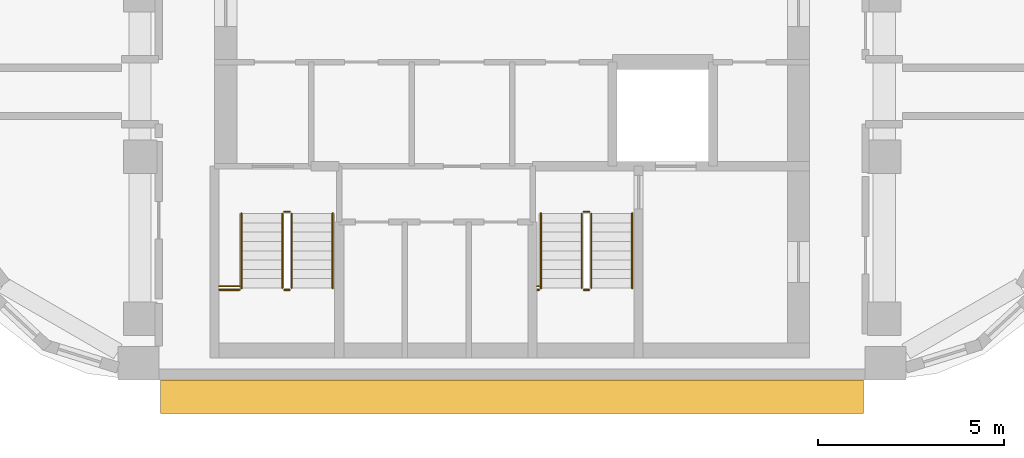
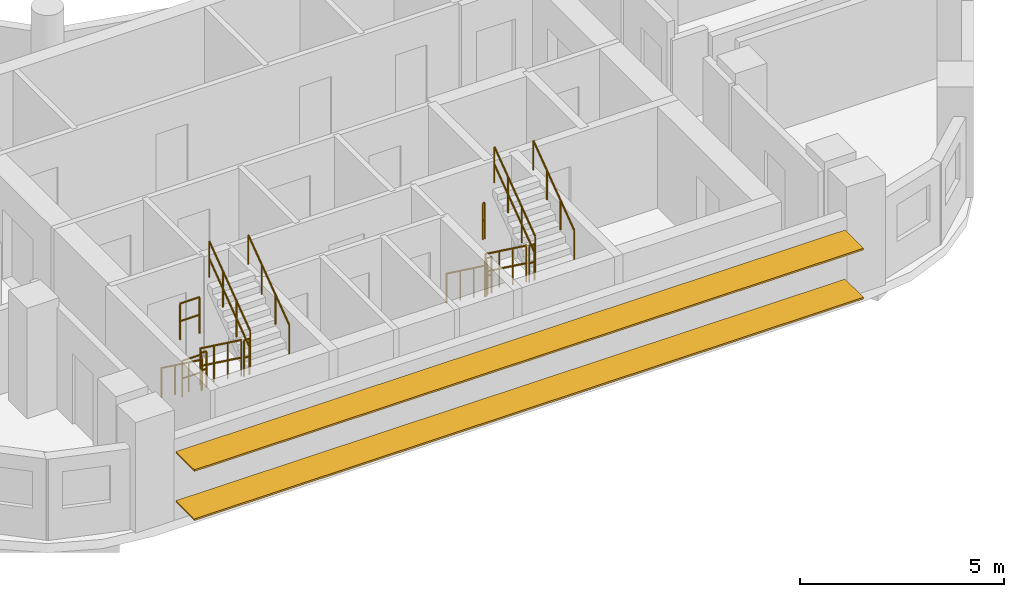
# One storey, part 10 of 12: 16 railings, 2 shading devices.
"""IFC4 building model written with IfcOpenShell, lengths in metres."""

from ifc_helpers import new_model, si_unit, direction, frame, origin, origin_2d, place, context, subcontext, project, spatial, rectangle, circle, extrude, material, material_profile, profile_set, type_object, element, save


model = new_model("IFC4")

# Units and contexts
model_context = context("Model", 3, precision=1e-05, world=origin(), true_north=direction((0.0, 1.0)))
body_context = subcontext(model_context, "Body", "Model", "MODEL_VIEW")
ifc_project = project(units=[si_unit("LENGTHUNIT", "METRE"), si_unit("AREAUNIT", "SQUARE_METRE"), si_unit("VOLUMEUNIT", "CUBIC_METRE"), si_unit("PLANEANGLEUNIT", "RADIAN"), si_unit("MASSUNIT", "GRAM", prefix="KILO")], contexts=[model_context])

# Site, building, storey
site_placement = place(None, origin())
site = spatial("IfcSite", under=ifc_project, at=site_placement, CompositionType="ELEMENT")
building_placement = place(site_placement, origin())
building = spatial("IfcBuilding", under=site, at=building_placement, Name="Nakaniwa Court", CompositionType="ELEMENT")
storey_placement = place(building_placement, frame((0.0, 0.0, 252.60009765625)))
storey = spatial("IfcBuildingStorey", under=building, at=storey_placement, Name="L66", CompositionType="ELEMENT", Elevation=252.60009765625)

# Shading devices
ifc_material_1 = material(Name="Perforated charcoal ceramic louvre blade")
ifc_material_profile = material_profile(ifc_material_1, rectangle(XDim=0.89990234375, YDim=0.050048828125, at=origin_2d()), Name="Perforated ceramic louvre blade")
ifc_profile_set = profile_set([ifc_material_profile], Name="Perforated charcoal ceramic louvre blade")
shading_device_type = type_object("IfcShadingDeviceType", Name="Perforated ceramic louvre blade", PredefinedType="JALOUSIE", material=ifc_profile_set)
for number, where, z_axis, x_axis, name in (
    (1, (70.55078125, 56.89990234375, 0.5498046875), (1.0, 0.0, 0.0), (0.0, 1.0, 0.0), "L66 perforated ceramic louvre blade w26 1"),
    (2, (70.55078125, 56.89990234375, 2.014892578125), (1.0, 0.0, 0.0), (0.0, 1.0, 0.0), "L66 perforated ceramic louvre blade w26 2"),
):
    element("IfcShadingDevice", number, at=place(storey_placement, frame(where, z_axis=z_axis, x_axis=x_axis)), inside=storey, type_object=shading_device_type, Name=name, PredefinedType="JALOUSIE", context=body_context, shape_type="SweptSolid", body=[
        extrude(rectangle(XDim=0.89990234375, YDim=0.050048828125, at=origin_2d()), origin(), (0.0, 0.0, 1.0), 18.892822265625),
    ])

# Railings
ifc_material_2 = material(Name="Black powder coated steel guard", Category="steel")
railing_type_1 = type_object("IfcRailingType", Name="Stair guard 1100", PredefinedType="GUARDRAIL", material=ifc_material_2)
railing_1_placement = place(storey_placement, frame((73.824951171875, 61.824951171875, 0.183349609375)))
element("IfcRailing", 3, at=railing_1_placement, inside=storey, type_object=railing_type_1, Name="L66 ST3 stair guard 1", PredefinedType="GUARDRAIL", context=body_context, shape_type="SweptSolid", body=[
    extrude(circle(Radius=0.02392578125, at=origin_2d()), frame((0.0, 0.0, 1.076171875), z_axis=(0.0, -0.806426902644, 0.591333789573), x_axis=(1.0, 0.0, 0.0)), (0.0, 0.0, 1.0), 2.47998046875),
    extrude(circle(Radius=0.02392578125, at=origin_2d()), frame((0.0, 0.0, 0.550048828125), z_axis=(0.0, -0.806426902644, 0.591333789573), x_axis=(1.0, 0.0, 0.0)), (0.0, 0.0, 1.0), 2.47998046875),
    extrude(circle(Radius=0.02099609375, at=origin_2d()), origin(), (0.0, 0.0, 1.0), 1.052001953125),
    extrude(circle(Radius=0.02099609375, at=origin_2d()), frame((0.0, -0.666748046875, 0.48876953125)), (0.0, 0.0, 1.0), 1.052001953125),
    extrude(circle(Radius=0.02099609375, at=origin_2d()), frame((0.0, -1.333251953125, 0.977783203125)), (0.0, 0.0, 1.0), 1.052001953125),
    extrude(circle(Radius=0.02099609375, at=origin_2d()), frame((0.0, -2.0, 1.466552734375)), (0.0, 0.0, 1.0), 1.052001953125),
])
railing_2_placement = place(storey_placement, frame((73.875, 59.77490234375, 1.64990234375)))
element("IfcRailing", 4, at=railing_2_placement, inside=storey, type_object=railing_type_1, Name="L66 ST3 stair guard 2", PredefinedType="GUARDRAIL", context=body_context, shape_type="SweptSolid", body=[
    extrude(circle(Radius=0.02392578125, at=origin_2d()), frame((0.0, 0.0, 1.076171875), z_axis=(1.0, 0.0, 0.0), x_axis=(0.0, 1.0, 0.0)), (0.0, 0.0, 1.0), 0.14990234375),
    extrude(circle(Radius=0.02392578125, at=origin_2d()), frame((0.0, 0.0, 0.550048828125), z_axis=(1.0, 0.0, 0.0), x_axis=(0.0, 1.0, 0.0)), (0.0, 0.0, 1.0), 0.14990234375),
    extrude(circle(Radius=0.02099609375, at=origin_2d()), origin(), (0.0, 0.0, 1.0), 1.052001953125),
    extrude(circle(Radius=0.02099609375, at=origin_2d()), frame((0.14990234375, 0.0, 0.0)), (0.0, 0.0, 1.0), 1.052001953125),
])
railing_3_placement = place(storey_placement, frame((74.074951171875, 59.824951171875, 1.833251953125)))
element("IfcRailing", 5, at=railing_3_placement, inside=storey, type_object=railing_type_1, Name="L66 ST3 stair guard 3", PredefinedType="GUARDRAIL", context=body_context, shape_type="SweptSolid", body=[
    extrude(circle(Radius=0.02392578125, at=origin_2d()), frame((0.0, 0.0, 1.076171875), z_axis=(0.0, 0.806426902644, 0.591333789573), x_axis=(-1.0, 0.0, 0.0)), (0.0, 0.0, 1.0), 2.47998046875),
    extrude(circle(Radius=0.02392578125, at=origin_2d()), frame((0.0, 0.0, 0.550048828125), z_axis=(0.0, 0.806426902644, 0.591333789573), x_axis=(-1.0, 0.0, 0.0)), (0.0, 0.0, 1.0), 2.47998046875),
    extrude(circle(Radius=0.02099609375, at=origin_2d()), origin(), (0.0, 0.0, 1.0), 1.052001953125),
    extrude(circle(Radius=0.02099609375, at=origin_2d()), frame((0.0, 0.666748046875, 0.48876953125)), (0.0, 0.0, 1.0), 1.052001953125),
    extrude(circle(Radius=0.02099609375, at=origin_2d()), frame((0.0, 1.333251953125, 0.977783203125)), (0.0, 0.0, 1.0), 1.052001953125),
    extrude(circle(Radius=0.02099609375, at=origin_2d()), frame((0.0, 2.0, 1.466552734375)), (0.0, 0.0, 1.0), 1.052001953125),
])
railing_4_placement = place(storey_placement, frame((73.875, 61.875, 0.0)))
element("IfcRailing", 6, at=railing_4_placement, inside=storey, type_object=railing_type_1, Name="L66 ST3 stair guard 4", PredefinedType="GUARDRAIL", context=body_context, shape_type="SweptSolid", body=[
    extrude(circle(Radius=0.02392578125, at=origin_2d()), frame((0.0, 0.0, 1.076171875), z_axis=(1.0, 0.0, 0.0), x_axis=(0.0, 1.0, 0.0)), (0.0, 0.0, 1.0), 0.14990234375),
    extrude(circle(Radius=0.02392578125, at=origin_2d()), frame((0.0, 0.0, 0.550048828125), z_axis=(1.0, 0.0, 0.0), x_axis=(0.0, 1.0, 0.0)), (0.0, 0.0, 1.0), 0.14990234375),
    extrude(circle(Radius=0.02099609375, at=origin_2d()), origin(), (0.0, 0.0, 1.0), 1.052001953125),
    extrude(circle(Radius=0.02099609375, at=origin_2d()), frame((0.14990234375, 0.0, 0.0)), (0.0, 0.0, 1.0), 1.052001953125),
])
for number, where, name in (
    (7, (72.125, 59.77490234375, 1.64990234375), "L66 ST3 landing side guard 1W"),
    (8, (72.125, 59.875, 3.2998046875), "L66 ST3 floor edge guard 1W"),
):
    element("IfcRailing", number, at=place(storey_placement, frame(where)), inside=storey, type_object=railing_type_1, Name=name, PredefinedType="GUARDRAIL", context=body_context, shape_type="SweptSolid", body=[
        extrude(circle(Radius=0.02392578125, at=origin_2d()), frame((0.0, 0.0, 1.076171875), z_axis=(1.0, 0.0, 0.0), x_axis=(0.0, 1.0, 0.0)), (0.0, 0.0, 1.0), 0.550048828125),
        extrude(circle(Radius=0.02392578125, at=origin_2d()), frame((0.0, 0.0, 0.550048828125), z_axis=(1.0, 0.0, 0.0), x_axis=(0.0, 1.0, 0.0)), (0.0, 0.0, 1.0), 0.550048828125),
        extrude(circle(Radius=0.02099609375, at=origin_2d()), origin(), (0.0, 0.0, 1.0), 1.052001953125),
        extrude(circle(Radius=0.02099609375, at=origin_2d()), frame((0.550048828125, 0.0, 0.0)), (0.0, 0.0, 1.0), 1.052001953125),
    ])
railing_5_placement = place(storey_placement, frame((81.875, 61.824951171875, 0.183349609375)))
element("IfcRailing", 9, at=railing_5_placement, inside=storey, type_object=railing_type_1, Name="L66 ST4 stair guard 1", PredefinedType="GUARDRAIL", context=body_context, shape_type="SweptSolid", body=[
    extrude(circle(Radius=0.02392578125, at=origin_2d()), frame((0.0, 0.0, 1.076171875), z_axis=(0.0, -0.806426902644, 0.591333789573), x_axis=(1.0, 0.0, 0.0)), (0.0, 0.0, 1.0), 2.47998046875),
    extrude(circle(Radius=0.02392578125, at=origin_2d()), frame((0.0, 0.0, 0.550048828125), z_axis=(0.0, -0.806426902644, 0.591333789573), x_axis=(1.0, 0.0, 0.0)), (0.0, 0.0, 1.0), 2.47998046875),
    extrude(circle(Radius=0.02099609375, at=origin_2d()), origin(), (0.0, 0.0, 1.0), 1.052001953125),
    extrude(circle(Radius=0.02099609375, at=origin_2d()), frame((0.0, -0.666748046875, 0.48876953125)), (0.0, 0.0, 1.0), 1.052001953125),
    extrude(circle(Radius=0.02099609375, at=origin_2d()), frame((0.0, -1.333251953125, 0.977783203125)), (0.0, 0.0, 1.0), 1.052001953125),
    extrude(circle(Radius=0.02099609375, at=origin_2d()), frame((0.0, -2.0, 1.466552734375)), (0.0, 0.0, 1.0), 1.052001953125),
])
railing_6_placement = place(storey_placement, frame((81.925048828125, 59.77490234375, 1.64990234375)))
element("IfcRailing", 10, at=railing_6_placement, inside=storey, type_object=railing_type_1, Name="L66 ST4 stair guard 2", PredefinedType="GUARDRAIL", context=body_context, shape_type="SweptSolid", body=[
    extrude(circle(Radius=0.02392578125, at=origin_2d()), frame((0.0, 0.0, 1.076171875), z_axis=(1.0, 0.0, 0.0), x_axis=(0.0, 1.0, 0.0)), (0.0, 0.0, 1.0), 0.14990234375),
    extrude(circle(Radius=0.02392578125, at=origin_2d()), frame((0.0, 0.0, 0.550048828125), z_axis=(1.0, 0.0, 0.0), x_axis=(0.0, 1.0, 0.0)), (0.0, 0.0, 1.0), 0.14990234375),
    extrude(circle(Radius=0.02099609375, at=origin_2d()), origin(), (0.0, 0.0, 1.0), 1.052001953125),
    extrude(circle(Radius=0.02099609375, at=origin_2d()), frame((0.14990234375, 0.0, 0.0)), (0.0, 0.0, 1.0), 1.052001953125),
])
railing_7_placement = place(storey_placement, frame((82.125, 59.824951171875, 1.833251953125)))
element("IfcRailing", 11, at=railing_7_placement, inside=storey, type_object=railing_type_1, Name="L66 ST4 stair guard 3", PredefinedType="GUARDRAIL", context=body_context, shape_type="SweptSolid", body=[
    extrude(circle(Radius=0.02392578125, at=origin_2d()), frame((0.0, 0.0, 1.076171875), z_axis=(0.0, 0.806426902644, 0.591333789573), x_axis=(-1.0, 0.0, 0.0)), (0.0, 0.0, 1.0), 2.47998046875),
    extrude(circle(Radius=0.02392578125, at=origin_2d()), frame((0.0, 0.0, 0.550048828125), z_axis=(0.0, 0.806426902644, 0.591333789573), x_axis=(-1.0, 0.0, 0.0)), (0.0, 0.0, 1.0), 2.47998046875),
    extrude(circle(Radius=0.02099609375, at=origin_2d()), origin(), (0.0, 0.0, 1.0), 1.052001953125),
    extrude(circle(Radius=0.02099609375, at=origin_2d()), frame((0.0, 0.666748046875, 0.48876953125)), (0.0, 0.0, 1.0), 1.052001953125),
    extrude(circle(Radius=0.02099609375, at=origin_2d()), frame((0.0, 1.333251953125, 0.977783203125)), (0.0, 0.0, 1.0), 1.052001953125),
    extrude(circle(Radius=0.02099609375, at=origin_2d()), frame((0.0, 2.0, 1.466552734375)), (0.0, 0.0, 1.0), 1.052001953125),
])
railing_8_placement = place(storey_placement, frame((81.925048828125, 61.875, 0.0)))
element("IfcRailing", 12, at=railing_8_placement, inside=storey, type_object=railing_type_1, Name="L66 ST4 stair guard 4", PredefinedType="GUARDRAIL", context=body_context, shape_type="SweptSolid", body=[
    extrude(circle(Radius=0.02392578125, at=origin_2d()), frame((0.0, 0.0, 1.076171875), z_axis=(1.0, 0.0, 0.0), x_axis=(0.0, 1.0, 0.0)), (0.0, 0.0, 1.0), 0.14990234375),
    extrude(circle(Radius=0.02392578125, at=origin_2d()), frame((0.0, 0.0, 0.550048828125), z_axis=(1.0, 0.0, 0.0), x_axis=(0.0, 1.0, 0.0)), (0.0, 0.0, 1.0), 0.14990234375),
    extrude(circle(Radius=0.02099609375, at=origin_2d()), origin(), (0.0, 0.0, 1.0), 1.052001953125),
    extrude(circle(Radius=0.02099609375, at=origin_2d()), frame((0.14990234375, 0.0, 0.0)), (0.0, 0.0, 1.0), 1.052001953125),
])
for number, where, name in (
    (13, (80.675048828125, 59.77490234375, 1.64990234375), "L66 ST4 landing side guard 1W"),
    (14, (80.675048828125, 59.875, 3.2998046875), "L66 ST4 floor edge guard 1W"),
):
    element("IfcRailing", number, at=place(storey_placement, frame(where)), inside=storey, type_object=railing_type_1, Name=name, PredefinedType="GUARDRAIL", context=body_context, shape_type="SweptSolid", body=[
        extrude(circle(Radius=0.02392578125, at=origin_2d()), frame((0.0, 0.0, 1.076171875), z_axis=(1.0, 0.0, 0.0), x_axis=(0.0, 1.0, 0.0)), (0.0, 0.0, 1.0), 0.050048828125),
        extrude(circle(Radius=0.02392578125, at=origin_2d()), frame((0.0, 0.0, 0.550048828125), z_axis=(1.0, 0.0, 0.0), x_axis=(0.0, 1.0, 0.0)), (0.0, 0.0, 1.0), 0.050048828125),
        extrude(circle(Radius=0.02099609375, at=origin_2d()), origin(), (0.0, 0.0, 1.0), 1.052001953125),
        extrude(circle(Radius=0.02099609375, at=origin_2d()), frame((0.050048828125, 0.0, 0.0)), (0.0, 0.0, 1.0), 1.052001953125),
    ])
ifc_material_3 = material(Name="Black powder coated steel handrail", Category="steel")
railing_type_2 = type_object("IfcRailingType", Name="Stair handrail 900", PredefinedType="HANDRAIL", material=ifc_material_3)
railing_9_placement = place(storey_placement, frame((72.72509765625, 61.824951171875, 0.183349609375)))
element("IfcRailing", 15, at=railing_9_placement, inside=storey, type_object=railing_type_2, Name="L66 ST3 stair handrail 1", PredefinedType="HANDRAIL", context=body_context, shape_type="SweptSolid", body=[
    extrude(circle(Radius=0.02392578125, at=origin_2d()), frame((0.0, 0.0, 0.8759765625), z_axis=(0.0, -0.806426902644, 0.591333789573), x_axis=(1.0, 0.0, 0.0)), (0.0, 0.0, 1.0), 2.47998046875),
    extrude(circle(Radius=0.02099609375, at=origin_2d()), origin(), (0.0, 0.0, 1.0), 0.851806640625),
    extrude(circle(Radius=0.02099609375, at=origin_2d()), frame((0.0, -0.666748046875, 0.48876953125)), (0.0, 0.0, 1.0), 0.851806640625),
    extrude(circle(Radius=0.02099609375, at=origin_2d()), frame((0.0, -1.333251953125, 0.977783203125)), (0.0, 0.0, 1.0), 0.851806640625),
    extrude(circle(Radius=0.02099609375, at=origin_2d()), frame((0.0, -2.0, 1.466552734375)), (0.0, 0.0, 1.0), 0.851806640625),
])
railing_10_placement = place(storey_placement, frame((75.175048828125, 59.824951171875, 1.833251953125)))
element("IfcRailing", 16, at=railing_10_placement, inside=storey, type_object=railing_type_2, Name="L66 ST3 stair handrail 2", PredefinedType="HANDRAIL", context=body_context, shape_type="SweptSolid", body=[
    extrude(circle(Radius=0.02392578125, at=origin_2d()), frame((0.0, 0.0, 0.8759765625), z_axis=(0.0, 0.806426902644, 0.591333789573), x_axis=(-1.0, 0.0, 0.0)), (0.0, 0.0, 1.0), 2.47998046875),
    extrude(circle(Radius=0.02099609375, at=origin_2d()), origin(), (0.0, 0.0, 1.0), 0.851806640625),
    extrude(circle(Radius=0.02099609375, at=origin_2d()), frame((0.0, 0.666748046875, 0.48876953125)), (0.0, 0.0, 1.0), 0.851806640625),
    extrude(circle(Radius=0.02099609375, at=origin_2d()), frame((0.0, 1.333251953125, 0.977783203125)), (0.0, 0.0, 1.0), 0.851806640625),
    extrude(circle(Radius=0.02099609375, at=origin_2d()), frame((0.0, 2.0, 1.466552734375)), (0.0, 0.0, 1.0), 0.851806640625),
])
railing_11_placement = place(storey_placement, frame((80.77490234375, 61.824951171875, 0.183349609375)))
element("IfcRailing", 17, at=railing_11_placement, inside=storey, type_object=railing_type_2, Name="L66 ST4 stair handrail 1", PredefinedType="HANDRAIL", context=body_context, shape_type="SweptSolid", body=[
    extrude(circle(Radius=0.02392578125, at=origin_2d()), frame((0.0, 0.0, 0.8759765625), z_axis=(0.0, -0.806426902644, 0.591333789573), x_axis=(1.0, 0.0, 0.0)), (0.0, 0.0, 1.0), 2.47998046875),
    extrude(circle(Radius=0.02099609375, at=origin_2d()), origin(), (0.0, 0.0, 1.0), 0.851806640625),
    extrude(circle(Radius=0.02099609375, at=origin_2d()), frame((0.0, -0.666748046875, 0.48876953125)), (0.0, 0.0, 1.0), 0.851806640625),
    extrude(circle(Radius=0.02099609375, at=origin_2d()), frame((0.0, -1.333251953125, 0.977783203125)), (0.0, 0.0, 1.0), 0.851806640625),
    extrude(circle(Radius=0.02099609375, at=origin_2d()), frame((0.0, -2.0, 1.466552734375)), (0.0, 0.0, 1.0), 0.851806640625),
])
railing_12_placement = place(storey_placement, frame((83.22509765625, 59.824951171875, 1.833251953125)))
element("IfcRailing", 18, at=railing_12_placement, inside=storey, type_object=railing_type_2, Name="L66 ST4 stair handrail 2", PredefinedType="HANDRAIL", context=body_context, shape_type="SweptSolid", body=[
    extrude(circle(Radius=0.02392578125, at=origin_2d()), frame((0.0, 0.0, 0.8759765625), z_axis=(0.0, 0.806426902644, 0.591333789573), x_axis=(-1.0, 0.0, 0.0)), (0.0, 0.0, 1.0), 2.47998046875),
    extrude(circle(Radius=0.02099609375, at=origin_2d()), origin(), (0.0, 0.0, 1.0), 0.851806640625),
    extrude(circle(Radius=0.02099609375, at=origin_2d()), frame((0.0, 0.666748046875, 0.48876953125)), (0.0, 0.0, 1.0), 0.851806640625),
    extrude(circle(Radius=0.02099609375, at=origin_2d()), frame((0.0, 1.333251953125, 0.977783203125)), (0.0, 0.0, 1.0), 0.851806640625),
    extrude(circle(Radius=0.02099609375, at=origin_2d()), frame((0.0, 2.0, 1.466552734375)), (0.0, 0.0, 1.0), 0.851806640625),
])

save(model, "model.ifc")
